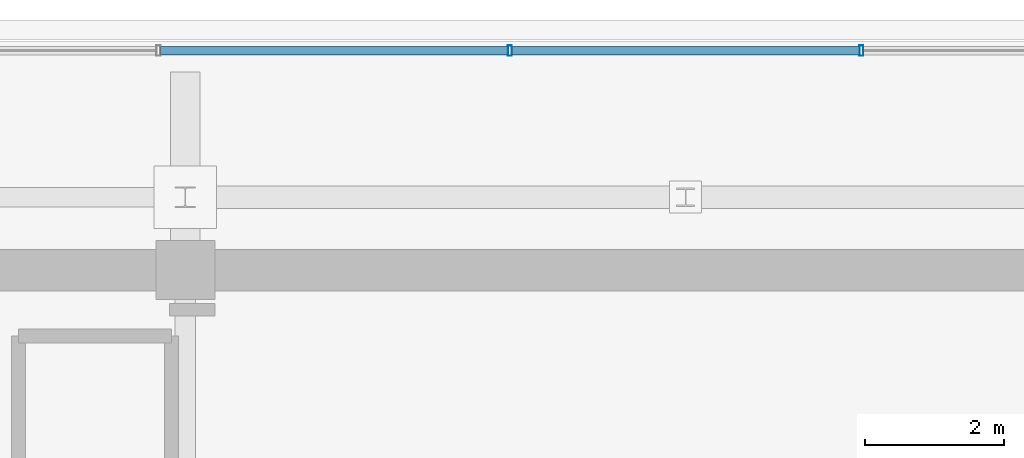
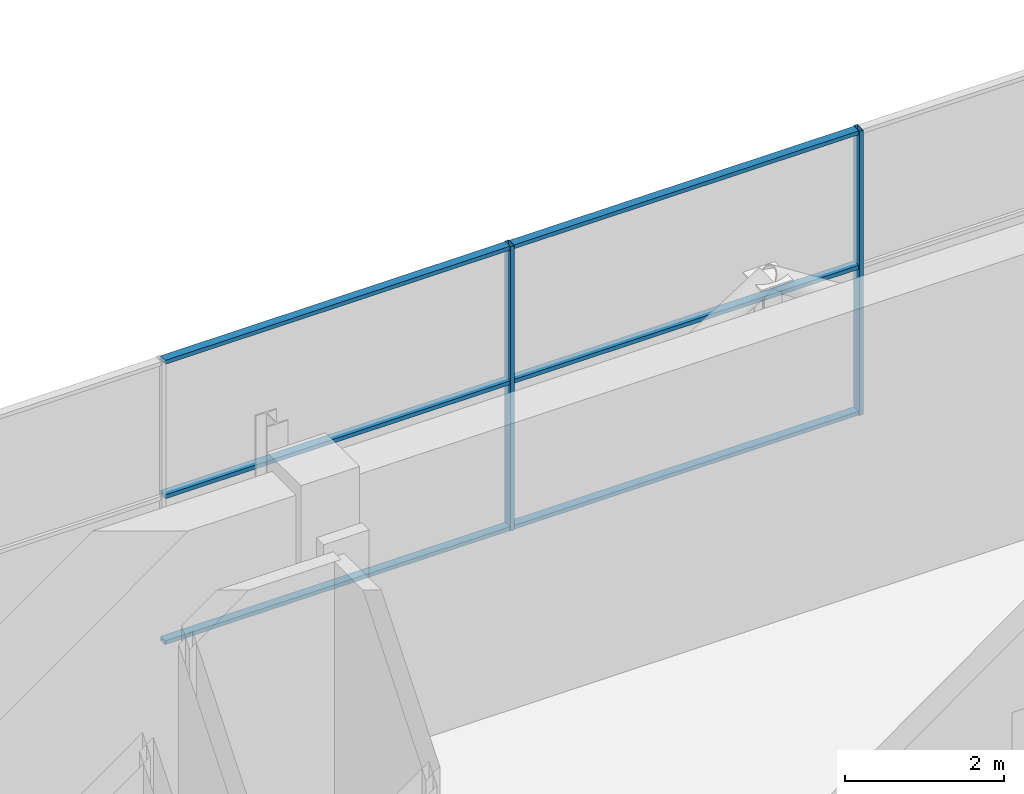
# One storey, part 20 of 28: 8 members, 1 element without a shape of its own.
"""IFC4 building model written with IfcOpenShell, lengths in metres."""

from ifc_helpers import new_model, si_unit, direction, frame, origin, origin_2d, place, context, subcontext, project, spatial, hollow_rectangle, extrude, source, transform, mapped, material, layer, layer_set, material_profile, profile_set, type_object, element, aggregate, save


model = new_model("IFC4")

# Units and contexts
model_context = context("Model", 3, precision=1e-05, world=origin(), true_north=direction((0.0, 1.0)))
body_context = subcontext(model_context, "Body", "Model", "MODEL_VIEW")
ifc_project = project(units=[si_unit("LENGTHUNIT", "METRE"), si_unit("AREAUNIT", "SQUARE_METRE"), si_unit("VOLUMEUNIT", "CUBIC_METRE"), si_unit("PLANEANGLEUNIT", "RADIAN"), si_unit("MASSUNIT", "GRAM", prefix="KILO")], contexts=[model_context])

# Site, building, storey
site_placement = place(None, origin())
site = spatial("IfcSite", under=ifc_project, at=site_placement, CompositionType="ELEMENT")
building_placement = place(site_placement, origin())
building = spatial("IfcBuilding", under=site, at=building_placement, Name="Zarnakvel Exchange Tower", CompositionType="ELEMENT")
storey_placement = place(building_placement, frame((0.0, 0.0, 271.60009765625)))
storey = spatial("IfcBuildingStorey", under=building, at=storey_placement, Name="Crown L77", CompositionType="ELEMENT", Elevation=271.60009765625)

# Curtain wall, members
ifc_material = material(Name="Architectural Bronze Anodised Aluminium", Category="aluminium")
ifc_layer = layer(ifc_material, 0.14990234375)
ifc_layer_set = layer_set([ifc_layer], Name="Architectural Bronze Anodised Aluminium")
curtain_wall_type = type_object("IfcCurtainWallType", Name="CW-07", PredefinedType="NOTDEFINED", material=ifc_layer_set)
curtain_wall_placement = place(storey_placement, origin())
curtain_wall = element("IfcCurtainWall", 1, at=curtain_wall_placement, inside=storey, type_object=curtain_wall_type, Name="Crown L77 Curtain Wall CW-Crown L77-N (CW-07)", PredefinedType="NOTDEFINED")
ifc_material_profile_1 = material_profile(ifc_material, hollow_rectangle(XDim=0.14990234375, YDim=0.06005859375, WallThickness=0.00390625, at=origin_2d()))
ifc_profile_set_1 = profile_set([ifc_material_profile_1], Name="Architectural Bronze Anodised Aluminium")
member_type_1 = type_object("IfcMemberType", Name="CWM-07", PredefinedType="MULLION", material=ifc_profile_set_1)
shared_shape_1 = source(origin(), body_context, "Body", "SweptSolid", [
    extrude(hollow_rectangle(XDim=0.14990234375, YDim=0.06005859375, WallThickness=0.00390625, at=origin_2d()), origin(), (0.0, 0.0, 1.0), 4.35986328125),
])
member_1_placement = place(storey_placement, frame((-2.528564453125, 16.659912109375, 0.0), z_axis=(0.0, 0.0, 1.0), x_axis=(0.0, 1.0, 0.0)))
member_1 = element("IfcMember", 2, at=member_1_placement, type_object=member_type_1, Name="CW-07 mullion 4", PredefinedType="MULLION", context=body_context, shape_type="MappedRepresentation", body=[
    mapped(shared_shape_1, transform((0.0, 0.0, 0.0), x_axis=(1.0, 0.0, 0.0), y_axis=(0.0, 1.0, 0.0), z_axis=(0.0, 0.0, 1.0), scale=1.0)),
])
member_2_placement = place(storey_placement, frame((2.528564453125, 16.659912109375, 0.0), z_axis=(0.0, 0.0, 1.0), x_axis=(0.0, 1.0, 0.0)))
member_2 = element("IfcMember", 3, at=member_2_placement, type_object=member_type_1, Name="CW-07 mullion 5", PredefinedType="MULLION", context=body_context, shape_type="MappedRepresentation", body=[
    mapped(shared_shape_1, transform((0.0, 0.0, 0.0), x_axis=(1.0, 0.0, 0.0), y_axis=(0.0, 1.0, 0.0), z_axis=(0.0, 0.0, 1.0), scale=1.0)),
])
ifc_material_profile_2 = material_profile(ifc_material, hollow_rectangle(XDim=0.1201171875, YDim=0.06005859375, WallThickness=0.00390625, at=origin_2d()))
ifc_profile_set_2 = profile_set([ifc_material_profile_2], Name="Architectural Bronze Anodised Aluminium")
member_type_2 = type_object("IfcMemberType", Name="CWT-07", PredefinedType="USERDEFINED", material=ifc_profile_set_2)
shared_shape_2 = source(origin(), body_context, "Body", "SweptSolid", [
    extrude(hollow_rectangle(XDim=0.1201171875, YDim=0.06005859375, WallThickness=0.00390625, at=origin_2d()), origin(), (0.0, 0.0, 1.0), 4.9970703125),
])
member_3_placement = place(storey_placement, frame((-7.5556640625, 16.659912109375, 0.02978515625), z_axis=(1.0, 0.0, 0.0), x_axis=(0.0, 1.0, 0.0)))
member_3 = element("IfcMember", 4, at=member_3_placement, type_object=member_type_2, Name="CW-07 transom 3.1", ObjectType="TRANSOM", PredefinedType="USERDEFINED", context=body_context, shape_type="MappedRepresentation", body=[
    mapped(shared_shape_2, transform((0.0, 0.0, 0.0), x_axis=(1.0, 0.0, 0.0), y_axis=(0.0, 1.0, 0.0), z_axis=(0.0, 0.0, 1.0), scale=1.0)),
])
member_4_placement = place(storey_placement, frame((-7.5556640625, 16.659912109375, 2.26708984375), z_axis=(1.0, 0.0, 0.0), x_axis=(0.0, 1.0, 0.0)))
member_4 = element("IfcMember", 5, at=member_4_placement, type_object=member_type_2, Name="CW-07 transom 3.2", ObjectType="TRANSOM", PredefinedType="USERDEFINED", context=body_context, shape_type="MappedRepresentation", body=[
    mapped(shared_shape_2, transform((0.0, 0.0, 0.0), x_axis=(1.0, 0.0, 0.0), y_axis=(0.0, 1.0, 0.0), z_axis=(0.0, 0.0, 1.0), scale=1.0)),
])
member_5_placement = place(storey_placement, frame((-7.5556640625, 16.659912109375, 4.329833984375), z_axis=(1.0, 0.0, 0.0), x_axis=(0.0, 1.0, 0.0)))
member_5 = element("IfcMember", 6, at=member_5_placement, type_object=member_type_2, Name="CW-07 transom 3.3", ObjectType="TRANSOM", PredefinedType="USERDEFINED", context=body_context, shape_type="MappedRepresentation", body=[
    mapped(shared_shape_2, transform((0.0, 0.0, 0.0), x_axis=(1.0, 0.0, 0.0), y_axis=(0.0, 1.0, 0.0), z_axis=(0.0, 0.0, 1.0), scale=1.0)),
])
member_6_placement = place(storey_placement, frame((-2.49853515625, 16.659912109375, 0.02978515625), z_axis=(1.0, 0.0, 0.0), x_axis=(0.0, 1.0, 0.0)))
member_6 = element("IfcMember", 7, at=member_6_placement, type_object=member_type_2, Name="CW-07 transom 4.1", ObjectType="TRANSOM", PredefinedType="USERDEFINED", context=body_context, shape_type="MappedRepresentation", body=[
    mapped(shared_shape_2, transform((0.0, 0.0, 0.0), x_axis=(1.0, 0.0, 0.0), y_axis=(0.0, 1.0, 0.0), z_axis=(0.0, 0.0, 1.0), scale=1.0)),
])
member_7_placement = place(storey_placement, frame((-2.49853515625, 16.659912109375, 2.26708984375), z_axis=(1.0, 0.0, 0.0), x_axis=(0.0, 1.0, 0.0)))
member_7 = element("IfcMember", 8, at=member_7_placement, type_object=member_type_2, Name="CW-07 transom 4.2", ObjectType="TRANSOM", PredefinedType="USERDEFINED", context=body_context, shape_type="MappedRepresentation", body=[
    mapped(shared_shape_2, transform((0.0, 0.0, 0.0), x_axis=(1.0, 0.0, 0.0), y_axis=(0.0, 1.0, 0.0), z_axis=(0.0, 0.0, 1.0), scale=1.0)),
])
member_8_placement = place(storey_placement, frame((-2.49853515625, 16.659912109375, 4.329833984375), z_axis=(1.0, 0.0, 0.0), x_axis=(0.0, 1.0, 0.0)))
member_8 = element("IfcMember", 9, at=member_8_placement, type_object=member_type_2, Name="CW-07 transom 4.3", ObjectType="TRANSOM", PredefinedType="USERDEFINED", context=body_context, shape_type="MappedRepresentation", body=[
    mapped(shared_shape_2, transform((0.0, 0.0, 0.0), x_axis=(1.0, 0.0, 0.0), y_axis=(0.0, 1.0, 0.0), z_axis=(0.0, 0.0, 1.0), scale=1.0)),
])
aggregate(curtain_wall, [member_1, member_2, member_3, member_4, member_5, member_6, member_7, member_8])

save(model, "model.ifc")
